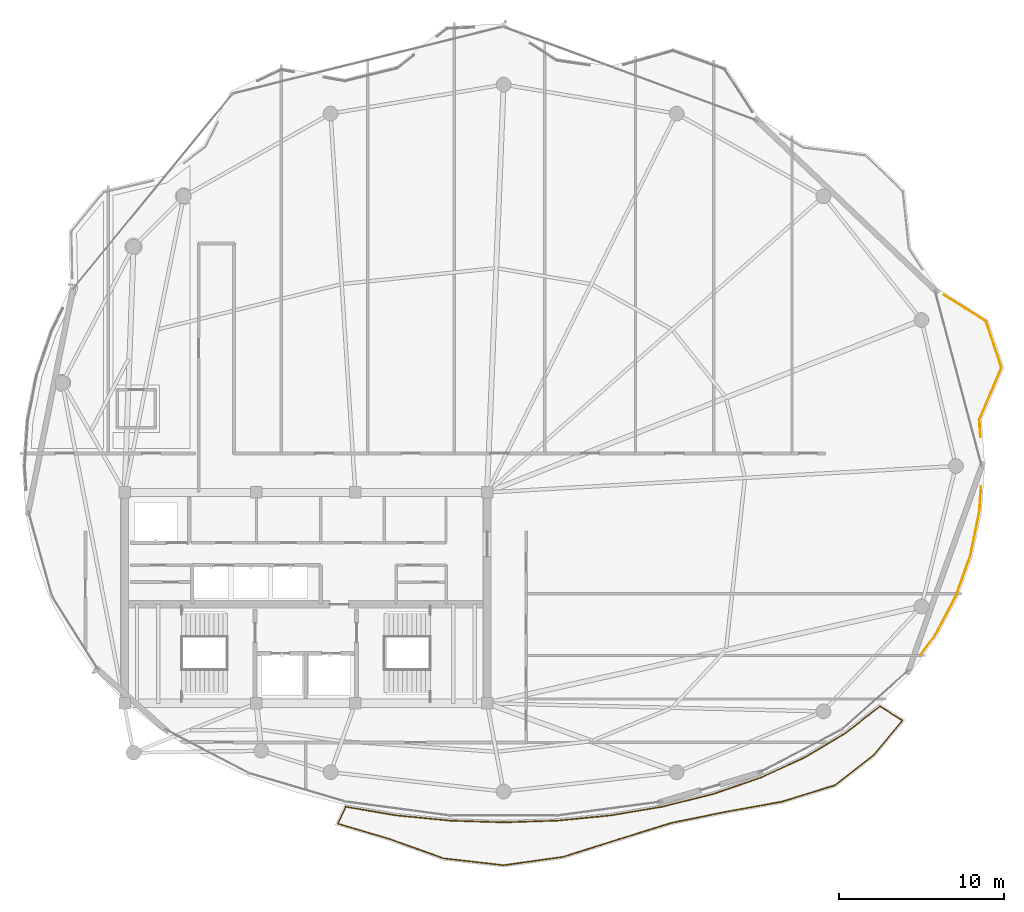
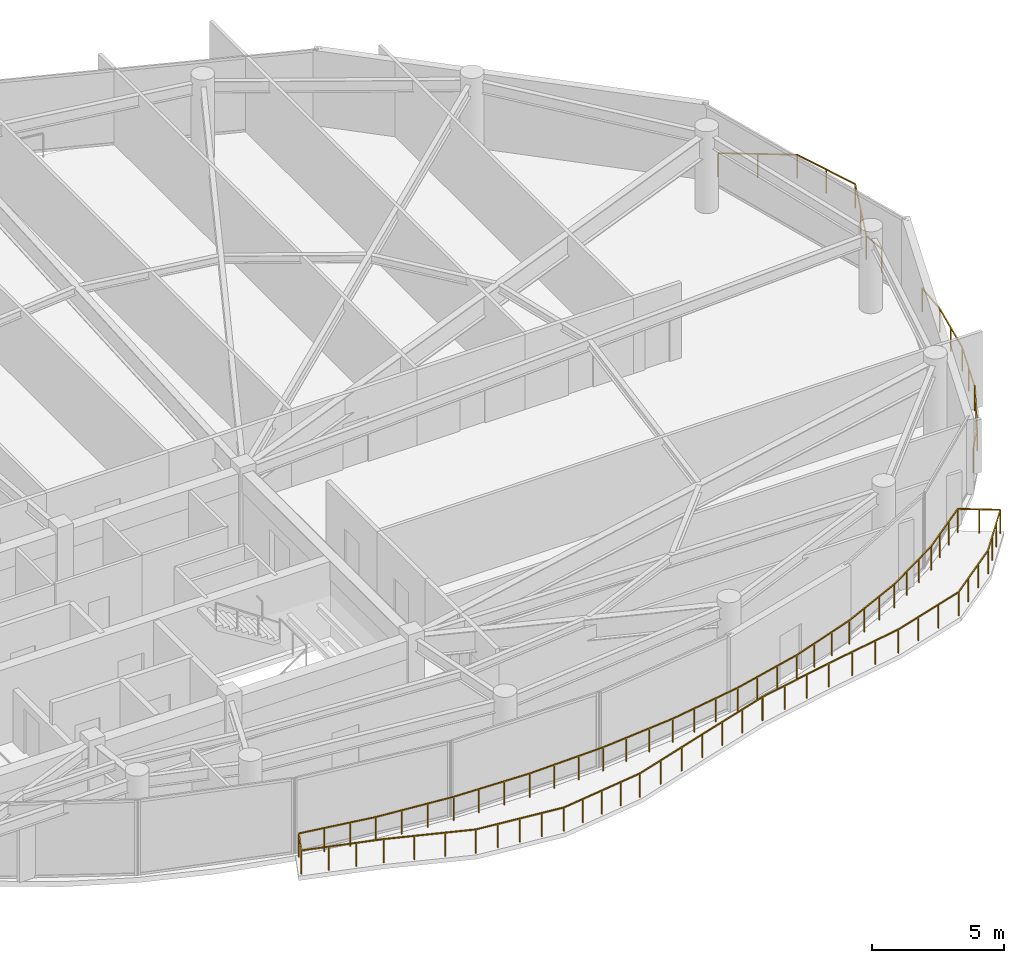
# One storey, part 28 of 29: 3 railings.
"""IFC4 building model written with IfcOpenShell, lengths in metres."""

from ifc_helpers import new_model, si_unit, direction, frame, origin, origin_2d, place, context, subcontext, project, spatial, rectangle, extrude, material, type_object, element, save


model = new_model("IFC4")

# Units and contexts
model_context = context("Model", 3, precision=1e-05, world=origin(), true_north=direction((0.0, 1.0)))
body_context = subcontext(model_context, "Body", "Model", "MODEL_VIEW")
ifc_project = project(units=[si_unit("LENGTHUNIT", "METRE"), si_unit("AREAUNIT", "SQUARE_METRE"), si_unit("VOLUMEUNIT", "CUBIC_METRE"), si_unit("PLANEANGLEUNIT", "RADIAN"), si_unit("MASSUNIT", "GRAM", prefix="KILO")], contexts=[model_context])

# Site, building, storey
site_placement = place(None, origin())
site = spatial("IfcSite", under=ifc_project, at=site_placement, CompositionType="ELEMENT")
building_placement = place(site_placement, origin())
building = spatial("IfcBuilding", under=site, at=building_placement, Name="Kazevale Care Tower and Concert Hall", CompositionType="ELEMENT")
storey_placement = place(building_placement, frame((0.0, 0.0, 289.0)))
storey = spatial("IfcBuildingStorey", under=building, at=storey_placement, Name="L76", CompositionType="ELEMENT", Elevation=289.0)

# Railings
ifc_material = material(Name="Anodised Bronze Aluminium and Laminated Glass", Category="aluminium")
railing_type = type_object("IfcRailingType", Name="Balcony and Terrace Balustrade 1120", PredefinedType="BALUSTRADE", material=ifc_material)
railing_1_placement = place(storey_placement, frame((73.97705078125, 36.751953125, 0.0)))
element("IfcRailing", 1, at=railing_1_placement, inside=storey, type_object=railing_type, Name="rail:L76:perim:10", PredefinedType="BALUSTRADE", context=body_context, shape_type="SweptSolid", body=[
    extrude(rectangle(XDim=0.048095703125, YDim=0.048095703125, at=origin_2d()), frame((0.0, 0.0, 1.09619140625), z_axis=(-0.066454463636, -0.997789458885, 0.0), x_axis=(0.997789458885, -0.066454463636, 0.0)), (0.0, 0.0, 1.0), 1.50634765625),
    extrude(rectangle(XDim=0.048095703125, YDim=0.048095703125, at=origin_2d()), frame((-0.10009765625, -1.5029296875, 1.09619140625), z_axis=(-0.200351117795, -0.979724159954, 0.0), x_axis=(0.979724159954, -0.200351117795, 0.0)), (0.0, 0.0, 1.0), 2.71484375),
    extrude(rectangle(XDim=0.048095703125, YDim=0.048095703125, at=origin_2d()), frame((-0.64404296875, -4.162841796875, 1.09619140625), z_axis=(-0.336533036542, -0.941671660036, 0.0), x_axis=(0.941671660036, -0.336533036542, 0.0)), (0.0, 0.0, 1.0), 2.674072265625),
    extrude(rectangle(XDim=0.048095703125, YDim=0.048095703125, at=origin_2d()), frame((-1.5439453125, -6.680908203125, 1.09619140625), z_axis=(-0.469135033055, -0.883126446643, 0.0), x_axis=(0.883126446643, -0.469135033055, 0.0)), (0.0, 0.0, 1.0), 2.652099609375),
    extrude(rectangle(XDim=0.048095703125, YDim=0.048095703125, at=origin_2d()), frame((-2.7880859375, -9.02294921875, 1.09619140625), z_axis=(-0.592278495921, -0.805733320193, 0.0), x_axis=(0.805733320193, -0.592278495921, 0.0)), (0.0, 0.0, 1.0), 1.45703125),
    extrude(rectangle(XDim=0.0419921875, YDim=0.0419921875, at=origin_2d()), origin(), (0.0, 0.0, 1.0), 1.072021484375),
    extrude(rectangle(XDim=0.0419921875, YDim=0.0419921875, at=origin_2d()), frame((-0.10009765625, -1.5029296875, 0.0)), (0.0, 0.0, 1.0), 1.072021484375),
    extrude(rectangle(XDim=0.0419921875, YDim=0.0419921875, at=origin_2d()), frame((-0.3720703125, -2.8330078125, 0.0)), (0.0, 0.0, 1.0), 1.072021484375),
    extrude(rectangle(XDim=0.0419921875, YDim=0.0419921875, at=origin_2d()), frame((-0.64404296875, -4.162841796875, 0.0)), (0.0, 0.0, 1.0), 1.072021484375),
    extrude(rectangle(XDim=0.0419921875, YDim=0.0419921875, at=origin_2d()), frame((-1.093994140625, -5.421875, 0.0)), (0.0, 0.0, 1.0), 1.072021484375),
    extrude(rectangle(XDim=0.0419921875, YDim=0.0419921875, at=origin_2d()), frame((-1.5439453125, -6.680908203125, 0.0)), (0.0, 0.0, 1.0), 1.072021484375),
    extrude(rectangle(XDim=0.0419921875, YDim=0.0419921875, at=origin_2d()), frame((-2.166015625, -7.85205078125, 0.0)), (0.0, 0.0, 1.0), 1.072021484375),
    extrude(rectangle(XDim=0.0419921875, YDim=0.0419921875, at=origin_2d()), frame((-2.7880859375, -9.02294921875, 0.0)), (0.0, 0.0, 1.0), 1.072021484375),
    extrude(rectangle(XDim=0.0419921875, YDim=0.0419921875, at=origin_2d()), frame((-3.651123046875, -10.197021484375, 0.0)), (0.0, 0.0, 1.0), 1.072021484375),
])
railing_2_placement = place(storey_placement, frame((71.72802734375, 48.3759765625, 0.0)))
element("IfcRailing", 2, at=railing_2_placement, inside=storey, type_object=railing_type, Name="rail:L76:perim:11", PredefinedType="BALUSTRADE", context=body_context, shape_type="SweptSolid", body=[
    extrude(rectangle(XDim=0.048095703125, YDim=0.048095703125, at=origin_2d()), frame((0.0, 0.0, 1.09619140625), z_axis=(0.847693498909, -0.530486316418, 0.0), x_axis=(0.530486316418, 0.847693498909, 0.0)), (0.0, 0.0, 1.0), 3.016357421875),
    extrude(rectangle(XDim=0.048095703125, YDim=0.048095703125, at=origin_2d()), frame((2.556884765625, -1.60009765625, 1.09619140625), z_axis=(0.316973292924, -0.94843446351, 0.0), x_axis=(0.94843446351, 0.316973292924, 0.0)), (0.0, 0.0, 1.0), 2.94677734375),
    extrude(rectangle(XDim=0.048095703125, YDim=0.048095703125, at=origin_2d()), frame((3.490966796875, -4.39501953125, 1.09619140625), z_axis=(-0.390449664496, -0.92062427705, 0.0), x_axis=(0.92062427705, -0.390449664496, 0.0)), (0.0, 0.0, 1.0), 3.442138671875),
    extrude(rectangle(XDim=0.048095703125, YDim=0.048095703125, at=origin_2d()), frame((2.14697265625, -7.56396484375, 1.09619140625), z_axis=(0.064912933057, -0.997890931476, 0.0), x_axis=(0.997890931476, 0.064912933057, 0.0)), (0.0, 0.0, 1.0), 1.04931640625),
    extrude(rectangle(XDim=0.0419921875, YDim=0.0419921875, at=origin_2d()), origin(), (0.0, 0.0, 1.0), 1.072021484375),
    extrude(rectangle(XDim=0.0419921875, YDim=0.0419921875, at=origin_2d()), frame((1.2783203125, -0.800048828125, 0.0)), (0.0, 0.0, 1.0), 1.072021484375),
    extrude(rectangle(XDim=0.0419921875, YDim=0.0419921875, at=origin_2d()), frame((2.556884765625, -1.60009765625, 0.0)), (0.0, 0.0, 1.0), 1.072021484375),
    extrude(rectangle(XDim=0.0419921875, YDim=0.0419921875, at=origin_2d()), frame((3.02392578125, -2.99755859375, 0.0)), (0.0, 0.0, 1.0), 1.072021484375),
    extrude(rectangle(XDim=0.0419921875, YDim=0.0419921875, at=origin_2d()), frame((3.490966796875, -4.39501953125, 0.0)), (0.0, 0.0, 1.0), 1.072021484375),
    extrude(rectangle(XDim=0.0419921875, YDim=0.0419921875, at=origin_2d()), frame((2.81884765625, -5.9794921875, 0.0)), (0.0, 0.0, 1.0), 1.072021484375),
    extrude(rectangle(XDim=0.0419921875, YDim=0.0419921875, at=origin_2d()), frame((2.14697265625, -7.56396484375, 0.0)), (0.0, 0.0, 1.0), 1.072021484375),
    extrude(rectangle(XDim=0.0419921875, YDim=0.0419921875, at=origin_2d()), frame((2.215087890625, -8.611083984375, 0.0)), (0.0, 0.0, 1.0), 1.072021484375),
])
railing_3_placement = place(storey_placement, frame((35.424072265625, 17.319091796875, 0.0)))
element("IfcRailing", 3, at=railing_3_placement, inside=storey, type_object=railing_type, Name="rail:L76:balcony", PredefinedType="BALUSTRADE", context=body_context, shape_type="SweptSolid", body=[
    extrude(rectangle(XDim=0.048095703125, YDim=0.048095703125, at=origin_2d()), frame((0.0, 0.0, 1.09619140625), z_axis=(0.985883626942, -0.167431998516, 0.0), x_axis=(0.167431998516, 0.985883626942, 0.0)), (0.0, 0.0, 1.0), 3.10595703125),
    extrude(rectangle(XDim=0.048095703125, YDim=0.048095703125, at=origin_2d()), frame((3.06201171875, -0.52001953125, 1.09619140625), z_axis=(0.995202326145, -0.097838285119, 0.0), x_axis=(0.097838285119, 0.995202326145, 0.0)), (0.0, 0.0, 1.0), 3.25146484375),
    extrude(rectangle(XDim=0.048095703125, YDim=0.048095703125, at=origin_2d()), frame((6.2978515625, -0.838134765625, 1.09619140625), z_axis=(0.999478023027, -0.032306059581, 0.0), x_axis=(0.032306059581, 0.999478023027, 0.0)), (0.0, 0.0, 1.0), 3.27978515625),
    extrude(rectangle(XDim=0.048095703125, YDim=0.048095703125, at=origin_2d()), frame((9.575927734375, -0.944091796875, 1.09619140625), z_axis=(0.999478023027, 0.032306059581, 0.0), x_axis=(-0.032306059581, 0.999478023027, 0.0)), (0.0, 0.0, 1.0), 3.27978515625),
    extrude(rectangle(XDim=0.048095703125, YDim=0.048095703125, at=origin_2d()), frame((12.85400390625, -0.838134765625, 1.09619140625), z_axis=(0.995202326145, 0.097838285119, 0.0), x_axis=(-0.097838285119, 0.995202326145, 0.0)), (0.0, 0.0, 1.0), 3.25146484375),
    extrude(rectangle(XDim=0.048095703125, YDim=0.048095703125, at=origin_2d()), frame((16.08984375, -0.52001953125, 1.09619140625), z_axis=(0.985888464626, 0.167403510471, 0.0), x_axis=(-0.167403510471, 0.985888464626, 0.0)), (0.0, 0.0, 1.0), 3.201171875),
    extrude(rectangle(XDim=0.048095703125, YDim=0.048095703125, at=origin_2d()), frame((19.245849609375, 0.015869140625, 1.09619140625), z_axis=(0.970197562423, 0.242315269572, 0.0), x_axis=(-0.242315269572, 0.970197562423, 0.0)), (0.0, 0.0, 1.0), 3.12841796875),
    extrude(rectangle(XDim=0.048095703125, YDim=0.048095703125, at=origin_2d()), frame((22.281005859375, 0.77392578125, 1.09619140625), z_axis=(0.945779087346, 0.324810587788, 0.0), x_axis=(-0.324810587788, 0.945779087346, 0.0)), (0.0, 0.0, 1.0), 3.0419921875),
    extrude(rectangle(XDim=0.048095703125, YDim=0.048095703125, at=origin_2d()), frame((25.157958984375, 1.761962890625, 1.09619140625), z_axis=(0.909747168294, 0.415162726869, 0.0), x_axis=(-0.415162726869, 0.909747168294, 0.0)), (0.0, 0.0, 1.0), 2.947998046875),
    extrude(rectangle(XDim=0.048095703125, YDim=0.048095703125, at=origin_2d()), frame((27.83984375, 2.98583984375, 1.09619140625), z_axis=(0.858628906565, 0.512597698796, 0.0), x_axis=(-0.512597698796, 0.858628906565, 0.0)), (0.0, 0.0, 1.0), 2.858154296875),
    extrude(rectangle(XDim=0.048095703125, YDim=0.048095703125, at=origin_2d()), frame((30.2939453125, 4.450927734375, 1.09619140625), z_axis=(0.789596616282, 0.613626257225, 0.0), x_axis=(-0.613626257225, 0.789596616282, 0.0)), (0.0, 0.0, 1.0), 2.688720703125),
    extrude(rectangle(XDim=0.048095703125, YDim=0.048095703125, at=origin_2d()), frame((32.4169921875, 6.100830078125, 1.09619140625), z_axis=(0.845126187577, -0.534566859309, 0.0), x_axis=(0.534566859309, 0.845126187577, 0.0)), (0.0, 0.0, 1.0), 1.6162109375),
    extrude(rectangle(XDim=0.048095703125, YDim=0.048095703125, at=origin_2d()), frame((33.782958984375, 5.23681640625, 1.09619140625), z_axis=(-0.640308248058, -0.768118055684, 0.0), x_axis=(0.768118055684, -0.640308248058, 0.0)), (0.0, 0.0, 1.0), 2.71435546875),
    extrude(rectangle(XDim=0.048095703125, YDim=0.048095703125, at=origin_2d()), frame((32.044921875, 3.15185546875, 1.09619140625), z_axis=(-0.788318679078, -0.615267145407, 0.0), x_axis=(0.615267145407, -0.788318679078, 0.0)), (0.0, 0.0, 1.0), 2.9921875),
    extrude(rectangle(XDim=0.048095703125, YDim=0.048095703125, at=origin_2d()), frame((29.68603515625, 1.310791015625, 1.09619140625), z_axis=(-0.955119358865, -0.296221218553, 0.0), x_axis=(0.296221218553, -0.955119358865, 0.0)), (0.0, 0.0, 1.0), 3.365234375),
    extrude(rectangle(XDim=0.048095703125, YDim=0.048095703125, at=origin_2d()), frame((26.471923828125, 0.31396484375, 1.09619140625), z_axis=(-0.983935275452, -0.178525554815, 0.0), x_axis=(0.178525554815, -0.983935275452, 0.0)), (0.0, 0.0, 1.0), 3.462646484375),
    extrude(rectangle(XDim=0.048095703125, YDim=0.048095703125, at=origin_2d()), frame((23.06494140625, -0.30419921875, 1.09619140625), z_axis=(-0.979862618143, -0.199672856359, 0.0), x_axis=(0.199672856359, -0.979862618143, 0.0)), (0.0, 0.0, 1.0), 3.364990234375),
    extrude(rectangle(XDim=0.048095703125, YDim=0.048095703125, at=origin_2d()), frame((19.767822265625, -0.97607421875, 1.09619140625), z_axis=(-0.954964794615, -0.296719128211, 0.0), x_axis=(0.296719128211, -0.954964794615, 0.0)), (0.0, 0.0, 1.0), 3.3603515625),
    extrude(rectangle(XDim=0.048095703125, YDim=0.048095703125, at=origin_2d()), frame((16.558837890625, -1.97314453125, 1.09619140625), z_axis=(-0.953524129773, -0.301316667214, 0.0), x_axis=(0.301316667214, -0.953524129773, 0.0)), (0.0, 0.0, 1.0), 3.531005859375),
    extrude(rectangle(XDim=0.048095703125, YDim=0.048095703125, at=origin_2d()), frame((13.19189453125, -3.037109375, 1.09619140625), z_axis=(-0.99024664169, -0.139325477288, 0.0), x_axis=(0.139325477288, -0.99024664169, 0.0)), (0.0, 0.0, 1.0), 3.653564453125),
    extrude(rectangle(XDim=0.048095703125, YDim=0.048095703125, at=origin_2d()), frame((9.573974609375, -3.546142578125, 1.09619140625), z_axis=(-0.993519736256, 0.113659727566, 0.0), x_axis=(-0.113659727566, -0.993519736256, 0.0)), (0.0, 0.0, 1.0), 3.651611328125),
    extrude(rectangle(XDim=0.048095703125, YDim=0.048095703125, at=origin_2d()), frame((5.946044921875, -3.131103515625, 1.09619140625), z_axis=(-0.941665604733, 0.33654997974, 0.0), x_axis=(-0.33654997974, -0.941665604733, 0.0)), (0.0, 0.0, 1.0), 3.548095703125),
    extrude(rectangle(XDim=0.048095703125, YDim=0.048095703125, at=origin_2d()), frame((2.60498046875, -1.93701171875, 1.09619140625), z_axis=(-0.958843251805, 0.283935940784, 0.0), x_axis=(-0.283935940784, -0.958843251805, 0.0)), (0.0, 0.0, 1.0), 3.218505859375),
    extrude(rectangle(XDim=0.048095703125, YDim=0.048095703125, at=origin_2d()), frame((-0.48095703125, -1.023193359375, 1.09619140625), z_axis=(0.425401819385, 0.905004581239, 0.0), x_axis=(-0.905004581239, 0.425401819385, 0.0)), (0.0, 0.0, 1.0), 1.130615234375),
    extrude(rectangle(XDim=0.0419921875, YDim=0.0419921875, at=origin_2d()), origin(), (0.0, 0.0, 1.0), 1.072021484375),
    extrude(rectangle(XDim=0.0419921875, YDim=0.0419921875, at=origin_2d()), frame((1.020751953125, -0.17333984375, 0.0)), (0.0, 0.0, 1.0), 1.072021484375),
    extrude(rectangle(XDim=0.0419921875, YDim=0.0419921875, at=origin_2d()), frame((2.041259765625, -0.3466796875, 0.0)), (0.0, 0.0, 1.0), 1.072021484375),
    extrude(rectangle(XDim=0.0419921875, YDim=0.0419921875, at=origin_2d()), frame((3.06201171875, -0.52001953125, 0.0)), (0.0, 0.0, 1.0), 1.072021484375),
    extrude(rectangle(XDim=0.0419921875, YDim=0.0419921875, at=origin_2d()), frame((4.140625, -0.6259765625, 0.0)), (0.0, 0.0, 1.0), 1.072021484375),
    extrude(rectangle(XDim=0.0419921875, YDim=0.0419921875, at=origin_2d()), frame((5.21923828125, -0.732177734375, 0.0)), (0.0, 0.0, 1.0), 1.072021484375),
    extrude(rectangle(XDim=0.0419921875, YDim=0.0419921875, at=origin_2d()), frame((6.2978515625, -0.838134765625, 0.0)), (0.0, 0.0, 1.0), 1.072021484375),
    extrude(rectangle(XDim=0.0419921875, YDim=0.0419921875, at=origin_2d()), frame((7.390625, -0.87353515625, 0.0)), (0.0, 0.0, 1.0), 1.072021484375),
    extrude(rectangle(XDim=0.0419921875, YDim=0.0419921875, at=origin_2d()), frame((8.483154296875, -0.90869140625, 0.0)), (0.0, 0.0, 1.0), 1.072021484375),
    extrude(rectangle(XDim=0.0419921875, YDim=0.0419921875, at=origin_2d()), frame((9.575927734375, -0.944091796875, 0.0)), (0.0, 0.0, 1.0), 1.072021484375),
    extrude(rectangle(XDim=0.0419921875, YDim=0.0419921875, at=origin_2d()), frame((10.668701171875, -0.90869140625, 0.0)), (0.0, 0.0, 1.0), 1.072021484375),
    extrude(rectangle(XDim=0.0419921875, YDim=0.0419921875, at=origin_2d()), frame((11.76123046875, -0.87353515625, 0.0)), (0.0, 0.0, 1.0), 1.072021484375),
    extrude(rectangle(XDim=0.0419921875, YDim=0.0419921875, at=origin_2d()), frame((12.85400390625, -0.838134765625, 0.0)), (0.0, 0.0, 1.0), 1.072021484375),
    extrude(rectangle(XDim=0.0419921875, YDim=0.0419921875, at=origin_2d()), frame((13.9326171875, -0.732177734375, 0.0)), (0.0, 0.0, 1.0), 1.072021484375),
    extrude(rectangle(XDim=0.0419921875, YDim=0.0419921875, at=origin_2d()), frame((15.01123046875, -0.6259765625, 0.0)), (0.0, 0.0, 1.0), 1.072021484375),
    extrude(rectangle(XDim=0.0419921875, YDim=0.0419921875, at=origin_2d()), frame((16.08984375, -0.52001953125, 0.0)), (0.0, 0.0, 1.0), 1.072021484375),
    extrude(rectangle(XDim=0.0419921875, YDim=0.0419921875, at=origin_2d()), frame((17.141845703125, -0.34130859375, 0.0)), (0.0, 0.0, 1.0), 1.072021484375),
    extrude(rectangle(XDim=0.0419921875, YDim=0.0419921875, at=origin_2d()), frame((18.19384765625, -0.162841796875, 0.0)), (0.0, 0.0, 1.0), 1.072021484375),
    extrude(rectangle(XDim=0.0419921875, YDim=0.0419921875, at=origin_2d()), frame((19.245849609375, 0.015869140625, 0.0)), (0.0, 0.0, 1.0), 1.072021484375),
    extrude(rectangle(XDim=0.0419921875, YDim=0.0419921875, at=origin_2d()), frame((20.257568359375, 0.2685546875, 0.0)), (0.0, 0.0, 1.0), 1.072021484375),
    extrude(rectangle(XDim=0.0419921875, YDim=0.0419921875, at=origin_2d()), frame((21.269287109375, 0.521240234375, 0.0)), (0.0, 0.0, 1.0), 1.072021484375),
    extrude(rectangle(XDim=0.0419921875, YDim=0.0419921875, at=origin_2d()), frame((22.281005859375, 0.77392578125, 0.0)), (0.0, 0.0, 1.0), 1.072021484375),
    extrude(rectangle(XDim=0.0419921875, YDim=0.0419921875, at=origin_2d()), frame((23.239990234375, 1.103271484375, 0.0)), (0.0, 0.0, 1.0), 1.072021484375),
    extrude(rectangle(XDim=0.0419921875, YDim=0.0419921875, at=origin_2d()), frame((24.198974609375, 1.4326171875, 0.0)), (0.0, 0.0, 1.0), 1.072021484375),
    extrude(rectangle(XDim=0.0419921875, YDim=0.0419921875, at=origin_2d()), frame((25.157958984375, 1.761962890625, 0.0)), (0.0, 0.0, 1.0), 1.072021484375),
    extrude(rectangle(XDim=0.0419921875, YDim=0.0419921875, at=origin_2d()), frame((26.052001953125, 2.169921875, 0.0)), (0.0, 0.0, 1.0), 1.072021484375),
    extrude(rectangle(XDim=0.0419921875, YDim=0.0419921875, at=origin_2d()), frame((26.94580078125, 2.577880859375, 0.0)), (0.0, 0.0, 1.0), 1.072021484375),
    extrude(rectangle(XDim=0.0419921875, YDim=0.0419921875, at=origin_2d()), frame((27.83984375, 2.98583984375, 0.0)), (0.0, 0.0, 1.0), 1.072021484375),
    extrude(rectangle(XDim=0.0419921875, YDim=0.0419921875, at=origin_2d()), frame((28.657958984375, 3.47412109375, 0.0)), (0.0, 0.0, 1.0), 1.072021484375),
    extrude(rectangle(XDim=0.0419921875, YDim=0.0419921875, at=origin_2d()), frame((29.475830078125, 3.962646484375, 0.0)), (0.0, 0.0, 1.0), 1.072021484375),
    extrude(rectangle(XDim=0.0419921875, YDim=0.0419921875, at=origin_2d()), frame((30.2939453125, 4.450927734375, 0.0)), (0.0, 0.0, 1.0), 1.072021484375),
    extrude(rectangle(XDim=0.0419921875, YDim=0.0419921875, at=origin_2d()), frame((31.001708984375, 5.0009765625, 0.0)), (0.0, 0.0, 1.0), 1.072021484375),
    extrude(rectangle(XDim=0.0419921875, YDim=0.0419921875, at=origin_2d()), frame((31.709228515625, 5.55078125, 0.0)), (0.0, 0.0, 1.0), 1.072021484375),
    extrude(rectangle(XDim=0.0419921875, YDim=0.0419921875, at=origin_2d()), frame((32.4169921875, 6.100830078125, 0.0)), (0.0, 0.0, 1.0), 1.072021484375),
    extrude(rectangle(XDim=0.0419921875, YDim=0.0419921875, at=origin_2d()), frame((33.10009765625, 5.6689453125, 0.0)), (0.0, 0.0, 1.0), 1.072021484375),
    extrude(rectangle(XDim=0.0419921875, YDim=0.0419921875, at=origin_2d()), frame((33.782958984375, 5.23681640625, 0.0)), (0.0, 0.0, 1.0), 1.072021484375),
    extrude(rectangle(XDim=0.0419921875, YDim=0.0419921875, at=origin_2d()), frame((33.20361328125, 4.541748046875, 0.0)), (0.0, 0.0, 1.0), 1.072021484375),
    extrude(rectangle(XDim=0.0419921875, YDim=0.0419921875, at=origin_2d()), frame((32.624267578125, 3.846923828125, 0.0)), (0.0, 0.0, 1.0), 1.072021484375),
    extrude(rectangle(XDim=0.0419921875, YDim=0.0419921875, at=origin_2d()), frame((32.044921875, 3.15185546875, 0.0)), (0.0, 0.0, 1.0), 1.072021484375),
    extrude(rectangle(XDim=0.0419921875, YDim=0.0419921875, at=origin_2d()), frame((31.258544921875, 2.5380859375, 0.0)), (0.0, 0.0, 1.0), 1.072021484375),
    extrude(rectangle(XDim=0.0419921875, YDim=0.0419921875, at=origin_2d()), frame((30.472412109375, 1.924560546875, 0.0)), (0.0, 0.0, 1.0), 1.072021484375),
    extrude(rectangle(XDim=0.0419921875, YDim=0.0419921875, at=origin_2d()), frame((29.68603515625, 1.310791015625, 0.0)), (0.0, 0.0, 1.0), 1.072021484375),
    extrude(rectangle(XDim=0.0419921875, YDim=0.0419921875, at=origin_2d()), frame((28.61474609375, 0.978515625, 0.0)), (0.0, 0.0, 1.0), 1.072021484375),
    extrude(rectangle(XDim=0.0419921875, YDim=0.0419921875, at=origin_2d()), frame((27.543212890625, 0.646240234375, 0.0)), (0.0, 0.0, 1.0), 1.072021484375),
    extrude(rectangle(XDim=0.0419921875, YDim=0.0419921875, at=origin_2d()), frame((26.471923828125, 0.31396484375, 0.0)), (0.0, 0.0, 1.0), 1.072021484375),
    extrude(rectangle(XDim=0.0419921875, YDim=0.0419921875, at=origin_2d()), frame((25.336181640625, 0.10791015625, 0.0)), (0.0, 0.0, 1.0), 1.072021484375),
    extrude(rectangle(XDim=0.0419921875, YDim=0.0419921875, at=origin_2d()), frame((24.20068359375, -0.09814453125, 0.0)), (0.0, 0.0, 1.0), 1.072021484375),
    extrude(rectangle(XDim=0.0419921875, YDim=0.0419921875, at=origin_2d()), frame((23.06494140625, -0.30419921875, 0.0)), (0.0, 0.0, 1.0), 1.072021484375),
    extrude(rectangle(XDim=0.0419921875, YDim=0.0419921875, at=origin_2d()), frame((21.9658203125, -0.528076171875, 0.0)), (0.0, 0.0, 1.0), 1.072021484375),
    extrude(rectangle(XDim=0.0419921875, YDim=0.0419921875, at=origin_2d()), frame((20.866943359375, -0.752197265625, 0.0)), (0.0, 0.0, 1.0), 1.072021484375),
    extrude(rectangle(XDim=0.0419921875, YDim=0.0419921875, at=origin_2d()), frame((19.767822265625, -0.97607421875, 0.0)), (0.0, 0.0, 1.0), 1.072021484375),
    extrude(rectangle(XDim=0.0419921875, YDim=0.0419921875, at=origin_2d()), frame((18.6982421875, -1.308349609375, 0.0)), (0.0, 0.0, 1.0), 1.072021484375),
    extrude(rectangle(XDim=0.0419921875, YDim=0.0419921875, at=origin_2d()), frame((17.62841796875, -1.640869140625, 0.0)), (0.0, 0.0, 1.0), 1.072021484375),
    extrude(rectangle(XDim=0.0419921875, YDim=0.0419921875, at=origin_2d()), frame((16.558837890625, -1.97314453125, 0.0)), (0.0, 0.0, 1.0), 1.072021484375),
    extrude(rectangle(XDim=0.0419921875, YDim=0.0419921875, at=origin_2d()), frame((15.4365234375, -2.327880859375, 0.0)), (0.0, 0.0, 1.0), 1.072021484375),
    extrude(rectangle(XDim=0.0419921875, YDim=0.0419921875, at=origin_2d()), frame((14.314208984375, -2.682373046875, 0.0)), (0.0, 0.0, 1.0), 1.072021484375),
    extrude(rectangle(XDim=0.0419921875, YDim=0.0419921875, at=origin_2d()), frame((13.19189453125, -3.037109375, 0.0)), (0.0, 0.0, 1.0), 1.072021484375),
    extrude(rectangle(XDim=0.0419921875, YDim=0.0419921875, at=origin_2d()), frame((12.287353515625, -3.164306640625, 0.0)), (0.0, 0.0, 1.0), 1.072021484375),
    extrude(rectangle(XDim=0.0419921875, YDim=0.0419921875, at=origin_2d()), frame((11.3828125, -3.29150390625, 0.0)), (0.0, 0.0, 1.0), 1.072021484375),
    extrude(rectangle(XDim=0.0419921875, YDim=0.0419921875, at=origin_2d()), frame((10.478515625, -3.4189453125, 0.0)), (0.0, 0.0, 1.0), 1.072021484375),
    extrude(rectangle(XDim=0.0419921875, YDim=0.0419921875, at=origin_2d()), frame((9.573974609375, -3.546142578125, 0.0)), (0.0, 0.0, 1.0), 1.072021484375),
    extrude(rectangle(XDim=0.0419921875, YDim=0.0419921875, at=origin_2d()), frame((8.6669921875, -3.4423828125, 0.0)), (0.0, 0.0, 1.0), 1.072021484375),
    extrude(rectangle(XDim=0.0419921875, YDim=0.0419921875, at=origin_2d()), frame((7.760009765625, -3.338623046875, 0.0)), (0.0, 0.0, 1.0), 1.072021484375),
    extrude(rectangle(XDim=0.0419921875, YDim=0.0419921875, at=origin_2d()), frame((6.85302734375, -3.23486328125, 0.0)), (0.0, 0.0, 1.0), 1.072021484375),
    extrude(rectangle(XDim=0.0419921875, YDim=0.0419921875, at=origin_2d()), frame((5.946044921875, -3.131103515625, 0.0)), (0.0, 0.0, 1.0), 1.072021484375),
    extrude(rectangle(XDim=0.0419921875, YDim=0.0419921875, at=origin_2d()), frame((4.832275390625, -2.733154296875, 0.0)), (0.0, 0.0, 1.0), 1.072021484375),
    extrude(rectangle(XDim=0.0419921875, YDim=0.0419921875, at=origin_2d()), frame((3.71875, -2.3349609375, 0.0)), (0.0, 0.0, 1.0), 1.072021484375),
    extrude(rectangle(XDim=0.0419921875, YDim=0.0419921875, at=origin_2d()), frame((2.60498046875, -1.93701171875, 0.0)), (0.0, 0.0, 1.0), 1.072021484375),
    extrude(rectangle(XDim=0.0419921875, YDim=0.0419921875, at=origin_2d()), frame((1.576416015625, -1.63232421875, 0.0)), (0.0, 0.0, 1.0), 1.072021484375),
    extrude(rectangle(XDim=0.0419921875, YDim=0.0419921875, at=origin_2d()), frame((0.547607421875, -1.327880859375, 0.0)), (0.0, 0.0, 1.0), 1.072021484375),
    extrude(rectangle(XDim=0.0419921875, YDim=0.0419921875, at=origin_2d()), frame((-0.48095703125, -1.023193359375, 0.0)), (0.0, 0.0, 1.0), 1.072021484375),
])

save(model, "model.ifc")
